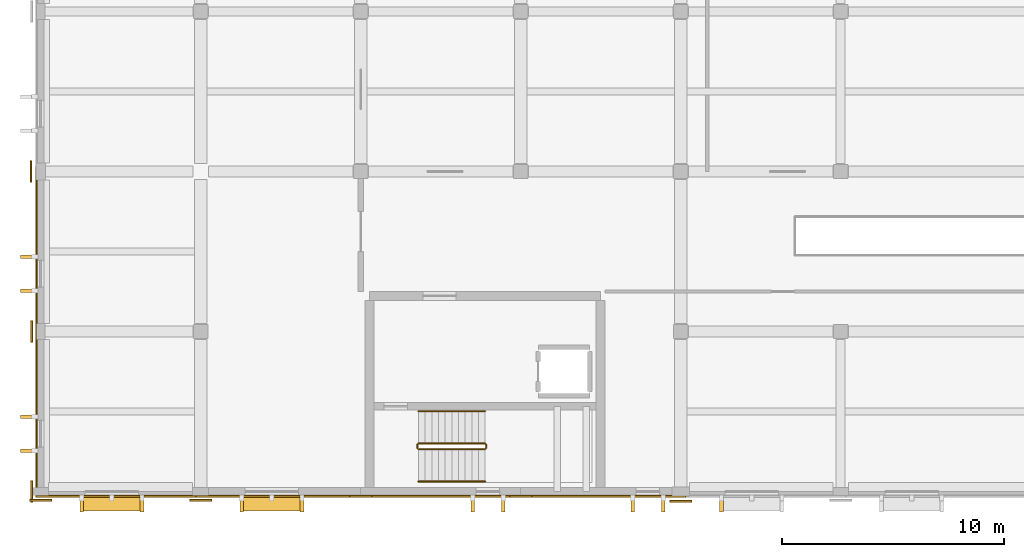
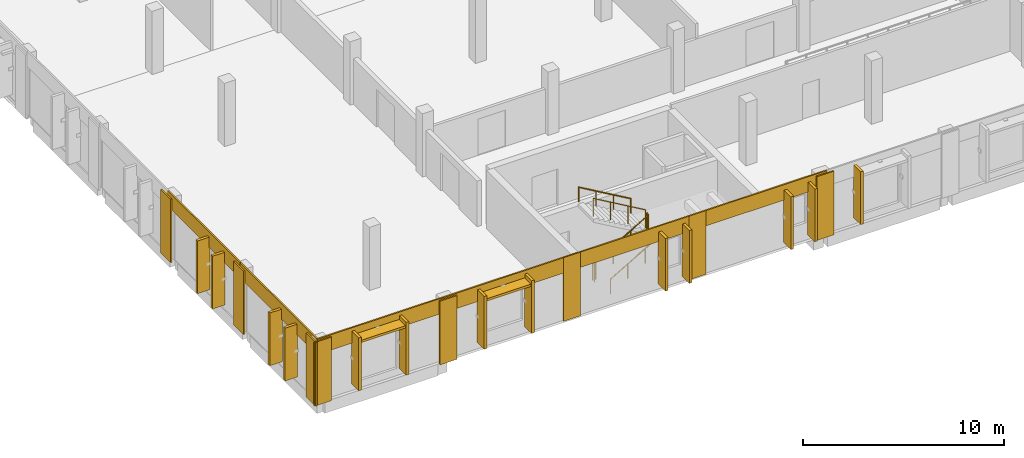
# One storey, part 71 of 85: 15 shading devices, 14 coverings, 6 railings.
"""IFC4 building model written with IfcOpenShell, lengths in metres."""

from ifc_helpers import new_model, si_unit, direction, frame, origin, origin_2d, place, context, subcontext, project, spatial, rectangle, circle, extrude, material, layer, layer_set, type_object, element, save


model = new_model("IFC4")

# Units and contexts
model_context = context("Model", 3, precision=1e-05, world=origin(), true_north=direction((0.0, 1.0)))
body_context = subcontext(model_context, "Body", "Model", "MODEL_VIEW")
ifc_project = project(units=[si_unit("LENGTHUNIT", "METRE"), si_unit("AREAUNIT", "SQUARE_METRE"), si_unit("VOLUMEUNIT", "CUBIC_METRE"), si_unit("PLANEANGLEUNIT", "RADIAN"), si_unit("MASSUNIT", "GRAM", prefix="KILO")], contexts=[model_context])

# Site, building, storey
site_placement = place(None, origin())
site = spatial("IfcSite", under=ifc_project, at=site_placement, CompositionType="ELEMENT")
building_placement = place(site_placement, origin())
building = spatial("IfcBuilding", under=site, at=building_placement, Name="Vervanel Yard Central Library", CompositionType="ELEMENT")
storey_placement = place(building_placement, frame((0.0, 0.0, 5.10009765625)))
storey = spatial("IfcBuildingStorey", under=building, at=storey_placement, Name="L01", CompositionType="ELEMENT", Elevation=5.10009765625)

# Railings
ifc_material_1 = material(Name="Brushed stainless steel AISI 316", Category="steel")
railing_type_1 = type_object("IfcRailingType", Name="Brushed Stainless Stair Handrail 900", PredefinedType="HANDRAIL", material=ifc_material_1)
railing_1_placement = place(storey_placement, frame((17.0, 0.449951171875, 0.174560546875)))
element("IfcRailing", 1, at=railing_1_placement, inside=storey, type_object=railing_type_1, Name="L01 ST-04 stair handrail 1", PredefinedType="HANDRAIL", context=body_context, shape_type="SweptSolid", body=[
    extrude(circle(Radius=0.02392578125, at=origin_2d()), frame((0.0, 0.0, 0.8759765625), z_axis=(0.864360011887, 0.0, 0.502873512775), x_axis=(0.0, 1.0, 0.0)), (0.0, 0.0, 1.0), 3.470703125),
    extrude(circle(Radius=0.02099609375, at=origin_2d()), origin(), (0.0, 0.0, 1.0), 0.851806640625),
    extrude(circle(Radius=0.02099609375, at=origin_2d()), frame((1.0, 0.0, 0.581787109375)), (0.0, 0.0, 1.0), 0.851806640625),
    extrude(circle(Radius=0.02099609375, at=origin_2d()), frame((2.0, 0.0, 1.16357421875)), (0.0, 0.0, 1.0), 0.851806640625),
    extrude(circle(Radius=0.02099609375, at=origin_2d()), frame((3.0, 0.0, 1.745361328125)), (0.0, 0.0, 1.0), 0.851806640625),
])
railing_2_placement = place(storey_placement, frame((20.0, 3.610107421875, 2.094482421875)))
element("IfcRailing", 2, at=railing_2_placement, inside=storey, type_object=railing_type_1, Name="L01 ST-04 stair handrail 2", PredefinedType="HANDRAIL", context=body_context, shape_type="SweptSolid", body=[
    extrude(circle(Radius=0.02392578125, at=origin_2d()), frame((0.0, 0.0, 0.8759765625), z_axis=(-0.864360011887, 0.0, 0.502873512775), x_axis=(0.0, -1.0, 0.0)), (0.0, 0.0, 1.0), 3.470703125),
    extrude(circle(Radius=0.02099609375, at=origin_2d()), origin(), (0.0, 0.0, 1.0), 0.851806640625),
    extrude(circle(Radius=0.02099609375, at=origin_2d()), frame((-1.0, 0.0, 0.581787109375)), (0.0, 0.0, 1.0), 0.851806640625),
    extrude(circle(Radius=0.02099609375, at=origin_2d()), frame((-2.0, 0.0, 1.16357421875)), (0.0, 0.0, 1.0), 0.851806640625),
    extrude(circle(Radius=0.02099609375, at=origin_2d()), frame((-3.0, 0.0, 1.745361328125)), (0.0, 0.0, 1.0), 0.851806640625),
])

# Coverings
ifc_material_2 = material(Name="Precast concrete C45/55", Category="concrete")
ifc_layer = layer(ifc_material_2, 0.0849609375, Category="concrete")
ifc_layer_set = layer_set([ifc_layer], Name="Precast concrete C45/55")
covering_type = type_object("IfcCoveringType", Name="Bush-Hammered Precast Architectural Cladding Panel", PredefinedType="CLADDING", material=ifc_layer_set)
covering_1_placement = place(storey_placement, frame((3.60009765625, -0.2099609375, 2.93017578125), z_axis=(0.0, 0.0, 1.0), x_axis=(1.0, 0.0, 0.0)))
element("IfcCovering", 3, at=covering_1_placement, inside=storey, type_object=covering_type, Name="L01 Precast Concrete Spandrel Cornice EWALL-L01-0222", PredefinedType="CLADDING", context=body_context, shape_type="SweptSolid", body=[
    extrude(rectangle(XDim=7.64990234375, YDim=0.0849609375, at=origin_2d()), origin(), (0.0, 0.0, 1.0), 0.929931640625),
])
for number, where, z_axis, x_axis, name in (
    (4, (0.0, -0.392578125, 0.0), (0.0, 0.0, 1.0), (1.0, 0.0, 0.0), "L01 Precast Concrete Pier Pilaster EWALL-L01-0222-A"),
    (5, (7.199951171875, -0.402587890625, 0.0), (0.0, 0.0, 1.0), (1.0, 0.0, 0.0), "L01 Precast Concrete Pier Pilaster EWALL-L01-0222-B"),
):
    element("IfcCovering", number, at=place(storey_placement, frame(where, z_axis=z_axis, x_axis=x_axis)), inside=storey, type_object=covering_type, Name=name, PredefinedType="CLADDING", context=body_context, shape_type="SweptSolid", body=[
        extrude(rectangle(XDim=0.97998046875, YDim=0.0849609375, at=origin_2d()), origin(), (0.0, 0.0, 1.0), 3.860107421875),
    ])
covering_2_placement = place(storey_placement, frame((10.800048828125, -0.2099609375, 2.93017578125), z_axis=(0.0, 0.0, 1.0), x_axis=(1.0, 0.0, 0.0)))
element("IfcCovering", 6, at=covering_2_placement, inside=storey, type_object=covering_type, Name="L01 Precast Concrete Spandrel Cornice EWALL-L01-0223", PredefinedType="CLADDING", context=body_context, shape_type="SweptSolid", body=[
    extrude(rectangle(XDim=7.64990234375, YDim=0.0849609375, at=origin_2d()), origin(), (0.0, 0.0, 1.0), 0.929931640625),
])
covering_3_placement = place(storey_placement, frame((14.39990234375, -0.21240234375, 0.0), z_axis=(0.0, 0.0, 1.0), x_axis=(1.0, 0.0, 0.0)))
element("IfcCovering", 7, at=covering_3_placement, inside=storey, type_object=covering_type, Name="L01 Precast Concrete Pier Pilaster EWALL-L01-0223-B", PredefinedType="CLADDING", context=body_context, shape_type="SweptSolid", body=[
    extrude(rectangle(XDim=0.97998046875, YDim=0.0849609375, at=origin_2d()), origin(), (0.0, 0.0, 1.0), 3.860107421875),
])
covering_4_placement = place(storey_placement, frame((18.0, -0.2099609375, 2.93017578125), z_axis=(0.0, 0.0, 1.0), x_axis=(1.0, 0.0, 0.0)))
element("IfcCovering", 8, at=covering_4_placement, inside=storey, type_object=covering_type, Name="L01 Precast Concrete Spandrel Cornice EWALL-L01-0224", PredefinedType="CLADDING", context=body_context, shape_type="SweptSolid", body=[
    extrude(rectangle(XDim=7.64990234375, YDim=0.0849609375, at=origin_2d()), origin(), (0.0, 0.0, 1.0), 0.929931640625),
])
covering_5_placement = place(storey_placement, frame((21.60009765625, -0.21240234375, 0.0), z_axis=(0.0, 0.0, 1.0), x_axis=(1.0, 0.0, 0.0)))
element("IfcCovering", 9, at=covering_5_placement, inside=storey, type_object=covering_type, Name="L01 Precast Concrete Pier Pilaster EWALL-L01-0224-B", PredefinedType="CLADDING", context=body_context, shape_type="SweptSolid", body=[
    extrude(rectangle(XDim=0.97998046875, YDim=0.0849609375, at=origin_2d()), origin(), (0.0, 0.0, 1.0), 3.860107421875),
])
covering_6_placement = place(storey_placement, frame((25.199951171875, -0.2099609375, 2.93017578125), z_axis=(0.0, 0.0, 1.0), x_axis=(1.0, 0.0, 0.0)))
element("IfcCovering", 10, at=covering_6_placement, inside=storey, type_object=covering_type, Name="L01 Precast Concrete Spandrel Cornice EWALL-L01-0225", PredefinedType="CLADDING", context=body_context, shape_type="SweptSolid", body=[
    extrude(rectangle(XDim=7.64990234375, YDim=0.0849609375, at=origin_2d()), origin(), (0.0, 0.0, 1.0), 0.929931640625),
])
covering_7_placement = place(storey_placement, frame((28.800048828125, -0.4326171875, 0.0), z_axis=(0.0, 0.0, 1.0), x_axis=(1.0, 0.0, 0.0)))
element("IfcCovering", 11, at=covering_7_placement, inside=storey, type_object=covering_type, Name="L01 Precast Concrete Pier Pilaster EWALL-L01-0225-B", PredefinedType="CLADDING", context=body_context, shape_type="SweptSolid", body=[
    extrude(rectangle(XDim=0.97998046875, YDim=0.0849609375, at=origin_2d()), origin(), (0.0, 0.0, 1.0), 3.860107421875),
])
covering_8_placement = place(storey_placement, frame((-0.18994140625, 3.60009765625, 2.93017578125), z_axis=(0.0, 0.0, 1.0), x_axis=(0.0, 1.0, 0.0)))
element("IfcCovering", 12, at=covering_8_placement, inside=storey, type_object=covering_type, Name="L01 Precast Concrete Spandrel Cornice EWALL-L01-0228", PredefinedType="CLADDING", context=body_context, shape_type="SweptSolid", body=[
    extrude(rectangle(XDim=7.64990234375, YDim=0.0849609375, at=origin_2d()), origin(), (0.0, 0.0, 1.0), 0.929931640625),
])
for number, where, z_axis, x_axis, name in (
    (13, (-0.392578125, 0.0, 0.0), (0.0, 0.0, 1.0), (0.0, 1.0, 0.0), "L01 Precast Concrete Pier Pilaster EWALL-L01-0228-A"),
    (14, (-0.402587890625, 7.199951171875, 0.0), (0.0, 0.0, 1.0), (0.0, 1.0, 0.0), "L01 Precast Concrete Pier Pilaster EWALL-L01-0228-B"),
):
    element("IfcCovering", number, at=place(storey_placement, frame(where, z_axis=z_axis, x_axis=x_axis)), inside=storey, type_object=covering_type, Name=name, PredefinedType="CLADDING", context=body_context, shape_type="SweptSolid", body=[
        extrude(rectangle(XDim=0.97998046875, YDim=0.0849609375, at=origin_2d()), origin(), (0.0, 0.0, 1.0), 3.860107421875),
    ])
covering_9_placement = place(storey_placement, frame((-0.18994140625, 10.800048828125, 2.93017578125), z_axis=(0.0, 0.0, 1.0), x_axis=(0.0, 1.0, 0.0)))
element("IfcCovering", 15, at=covering_9_placement, inside=storey, type_object=covering_type, Name="L01 Precast Concrete Spandrel Cornice EWALL-L01-0229", PredefinedType="CLADDING", context=body_context, shape_type="SweptSolid", body=[
    extrude(rectangle(XDim=7.64990234375, YDim=0.0849609375, at=origin_2d()), origin(), (0.0, 0.0, 1.0), 0.929931640625),
])
covering_10_placement = place(storey_placement, frame((-0.4326171875, 14.39990234375, 0.0), z_axis=(0.0, 0.0, 1.0), x_axis=(0.0, 1.0, 0.0)))
element("IfcCovering", 16, at=covering_10_placement, inside=storey, type_object=covering_type, Name="L01 Precast Concrete Pier Pilaster EWALL-L01-0229-B", PredefinedType="CLADDING", context=body_context, shape_type="SweptSolid", body=[
    extrude(rectangle(XDim=0.97998046875, YDim=0.0849609375, at=origin_2d()), origin(), (0.0, 0.0, 1.0), 3.860107421875),
])

# Shading devices
shading_device_type_1 = type_object("IfcShadingDeviceType", Name="Horizontal Precast Brise-Soleil Sunhood 2600x680x140", PredefinedType="JALOUSIE", material=ifc_material_2)
for number, where, z_axis, x_axis, name in (
    (17, (3.199951171875, -0.5400390625, 3.27978515625), (0.0, 0.0, 1.0), (1.0, 0.0, 0.0), "L01 Precast Horizontal Sunhood 128"),
    (18, (10.39990234375, -0.5400390625, 3.27978515625), (0.0, 0.0, 1.0), (1.0, 0.0, 0.0), "L01 Precast Horizontal Sunhood 129"),
):
    element("IfcShadingDevice", number, at=place(storey_placement, frame(where, z_axis=z_axis, x_axis=x_axis)), inside=storey, type_object=shading_device_type_1, Name=name, PredefinedType="JALOUSIE", context=body_context, shape_type="SweptSolid", body=[
        extrude(rectangle(XDim=2.60009765625, YDim=0.679931640625, at=origin_2d()), origin(), (0.0, 0.0, 1.0), 0.139892578125),
    ])

# Railings
ifc_material_3 = material(Name="Galvanized painted steelwork ASTM A500 Grade C", Category="steel")
railing_type_2 = type_object("IfcRailingType", Name="Painted Steel Guardrail 1100", PredefinedType="GUARDRAIL", material=ifc_material_3)
railing_3_placement = place(storey_placement, frame((17.0, 1.89990234375, 0.174560546875)))
element("IfcRailing", 19, at=railing_3_placement, inside=storey, type_object=railing_type_2, Name="L01 ST-04 stair guard 1", PredefinedType="GUARDRAIL", context=body_context, shape_type="SweptSolid", body=[
    extrude(circle(Radius=0.02392578125, at=origin_2d()), frame((0.0, 0.0, 1.076171875), z_axis=(0.864360011887, 0.0, 0.502873512775), x_axis=(0.0, 1.0, 0.0)), (0.0, 0.0, 1.0), 3.470703125),
    extrude(circle(Radius=0.02099609375, at=origin_2d()), origin(), (0.0, 0.0, 1.0), 1.052001953125),
    extrude(circle(Radius=0.02099609375, at=origin_2d()), frame((1.0, 0.0, 0.581787109375)), (0.0, 0.0, 1.0), 1.052001953125),
    extrude(circle(Radius=0.02099609375, at=origin_2d()), frame((2.0, 0.0, 1.16357421875)), (0.0, 0.0, 1.0), 1.052001953125),
    extrude(circle(Radius=0.02099609375, at=origin_2d()), frame((3.0, 0.0, 1.745361328125)), (0.0, 0.0, 1.0), 1.052001953125),
])
railing_4_placement = place(storey_placement, frame((20.050048828125, 1.949951171875, 1.919921875)))
element("IfcRailing", 20, at=railing_4_placement, inside=storey, type_object=railing_type_2, Name="L01 ST-04 stair guard 2", PredefinedType="GUARDRAIL", context=body_context, shape_type="SweptSolid", body=[
    extrude(circle(Radius=0.02392578125, at=origin_2d()), frame((0.0, 0.0, 1.076171875), z_axis=(0.0, 1.0, 0.0), x_axis=(-1.0, 0.0, 0.0)), (0.0, 0.0, 1.0), 0.16015625),
    extrude(circle(Radius=0.02099609375, at=origin_2d()), origin(), (0.0, 0.0, 1.0), 1.052001953125),
    extrude(circle(Radius=0.02099609375, at=origin_2d()), frame((0.0, 0.16015625, 0.0)), (0.0, 0.0, 1.0), 1.052001953125),
])
railing_5_placement = place(storey_placement, frame((20.0, 2.159912109375, 2.094482421875)))
element("IfcRailing", 21, at=railing_5_placement, inside=storey, type_object=railing_type_2, Name="L01 ST-04 stair guard 3", PredefinedType="GUARDRAIL", context=body_context, shape_type="SweptSolid", body=[
    extrude(circle(Radius=0.02392578125, at=origin_2d()), frame((0.0, 0.0, 1.076171875), z_axis=(-0.864360011887, 0.0, 0.502873512775), x_axis=(0.0, -1.0, 0.0)), (0.0, 0.0, 1.0), 3.470703125),
    extrude(circle(Radius=0.02099609375, at=origin_2d()), origin(), (0.0, 0.0, 1.0), 1.052001953125),
    extrude(circle(Radius=0.02099609375, at=origin_2d()), frame((-1.0, 0.0, 0.581787109375)), (0.0, 0.0, 1.0), 1.052001953125),
    extrude(circle(Radius=0.02099609375, at=origin_2d()), frame((-2.0, 0.0, 1.16357421875)), (0.0, 0.0, 1.0), 1.052001953125),
    extrude(circle(Radius=0.02099609375, at=origin_2d()), frame((-3.0, 0.0, 1.745361328125)), (0.0, 0.0, 1.0), 1.052001953125),
])
railing_6_placement = place(storey_placement, frame((16.949951171875, 1.949951171875, 0.0)))
element("IfcRailing", 22, at=railing_6_placement, inside=storey, type_object=railing_type_2, Name="L01 ST-04 stair guard 4", PredefinedType="GUARDRAIL", context=body_context, shape_type="SweptSolid", body=[
    extrude(circle(Radius=0.02392578125, at=origin_2d()), frame((0.0, 0.0, 1.076171875), z_axis=(0.0, 1.0, 0.0), x_axis=(-1.0, 0.0, 0.0)), (0.0, 0.0, 1.0), 0.16015625),
    extrude(circle(Radius=0.02099609375, at=origin_2d()), origin(), (0.0, 0.0, 1.0), 1.052001953125),
    extrude(circle(Radius=0.02099609375, at=origin_2d()), frame((0.0, 0.16015625, 0.0)), (0.0, 0.0, 1.0), 1.052001953125),
])

# Shading devices
shading_device_type_2 = type_object("IfcShadingDeviceType", Name="Vertical Precast Solar Fin 160x720x3200", PredefinedType="JALOUSIE", material=ifc_material_2)
for number, where, z_axis, x_axis, name in (
    (23, (1.840087890625, -0.570068359375, 0.44970703125), (0.0, 0.0, 1.0), (1.0, 0.0, 0.0), "L01 Precast Solar Fin 634"),
    (24, (4.56005859375, -0.570068359375, 0.44970703125), (0.0, 0.0, 1.0), (1.0, 0.0, 0.0), "L01 Precast Solar Fin 635"),
    (25, (9.0400390625, -0.570068359375, 0.44970703125), (0.0, 0.0, 1.0), (1.0, 0.0, 0.0), "L01 Precast Solar Fin 636"),
    (26, (11.760009765625, -0.570068359375, 0.44970703125), (0.0, 0.0, 1.0), (1.0, 0.0, 0.0), "L01 Precast Solar Fin 637"),
    (27, (19.43994140625, -0.570068359375, 0.32470703125), (0.0, 0.0, 1.0), (1.0, 0.0, 0.0), "L01 Precast Solar Fin 638"),
    (28, (20.81005859375, -0.570068359375, 0.32470703125), (0.0, 0.0, 1.0), (1.0, 0.0, 0.0), "L01 Precast Solar Fin 639"),
    (29, (26.639892578125, -0.570068359375, 0.32470703125), (0.0, 0.0, 1.0), (1.0, 0.0, 0.0), "L01 Precast Solar Fin 640"),
    (30, (28.010009765625, -0.570068359375, 0.32470703125), (0.0, 0.0, 1.0), (1.0, 0.0, 0.0), "L01 Precast Solar Fin 641"),
    (31, (30.639892578125, -0.570068359375, 0.44970703125), (0.0, 0.0, 1.0), (1.0, 0.0, 0.0), "L01 Precast Solar Fin 642"),
    (32, (-0.550048828125, 1.840087890625, 0.35009765625), (0.0, 0.0, 1.0), (0.0, 1.0, 0.0), "L01 Precast Solar Fin 646"),
    (33, (-0.550048828125, 3.360107421875, 0.35009765625), (0.0, 0.0, 1.0), (0.0, 1.0, 0.0), "L01 Precast Solar Fin 647"),
    (34, (-0.550048828125, 9.0400390625, 0.35009765625), (0.0, 0.0, 1.0), (0.0, 1.0, 0.0), "L01 Precast Solar Fin 648"),
    (35, (-0.550048828125, 10.56005859375, 0.35009765625), (0.0, 0.0, 1.0), (0.0, 1.0, 0.0), "L01 Precast Solar Fin 649"),
):
    element("IfcShadingDevice", number, at=place(storey_placement, frame(where, z_axis=z_axis, x_axis=x_axis)), inside=storey, type_object=shading_device_type_2, Name=name, PredefinedType="JALOUSIE", context=body_context, shape_type="SweptSolid", body=[
        extrude(rectangle(XDim=0.159912109375, YDim=0.719970703125, at=origin_2d()), origin(), (0.0, 0.0, 1.0), 3.199951171875),
    ])

save(model, "model.ifc")
